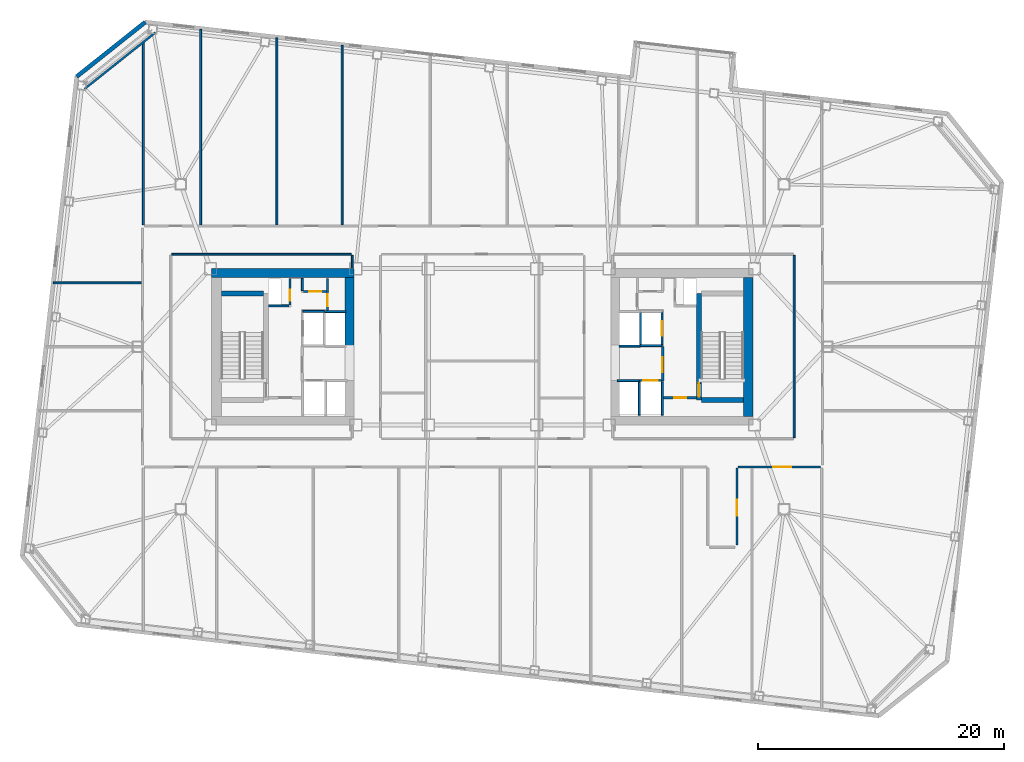
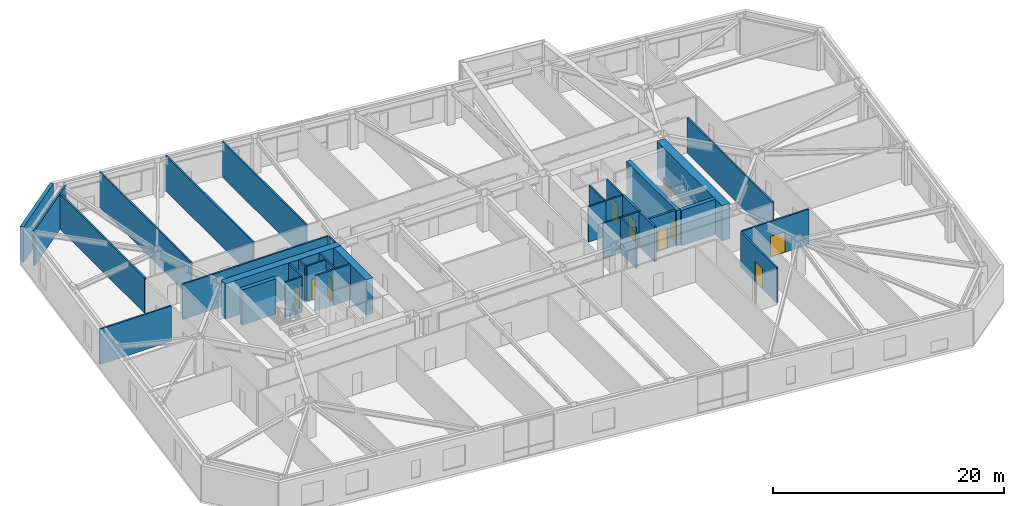
# One storey, part 15 of 23: 35 walls, 10 doors, 10 openings.
"""IFC4 building model written with IfcOpenShell, lengths in metres."""

from ifc_helpers import new_model, si_unit, direction, frame, frame_2d, origin, place, context, subcontext, project, spatial, rectangle, extrude, material, layer, layer_set, type_object, element, fill, save


model = new_model("IFC4")

# Units and contexts
model_context = context("Model", 3, precision=1e-05, world=origin(), true_north=direction((0.0, 1.0)))
body_context = subcontext(model_context, "Body", "Model", "MODEL_VIEW")
ifc_project = project(units=[si_unit("LENGTHUNIT", "METRE"), si_unit("AREAUNIT", "SQUARE_METRE"), si_unit("VOLUMEUNIT", "CUBIC_METRE"), si_unit("PLANEANGLEUNIT", "RADIAN"), si_unit("MASSUNIT", "GRAM", prefix="KILO")], contexts=[model_context])

# Site, building, storey
site_placement = place(None, origin())
site = spatial("IfcSite", under=ifc_project, at=site_placement, CompositionType="ELEMENT")
building_placement = place(site_placement, origin())
building = spatial("IfcBuilding", under=site, at=building_placement, Name="Tavrogorsk Clinical Tower", CompositionType="ELEMENT")
storey_placement = place(building_placement, frame((0.0, 0.0, 113.39990234375)))
storey = spatial("IfcBuildingStorey", under=building, at=storey_placement, Name="L25", CompositionType="ELEMENT", Elevation=113.39990234375)

# Wall, opening, door
ifc_material_1 = material(Name="Concrete B60", Category="concrete")
ifc_layer_1 = layer(ifc_material_1, 0.199951171875)
ifc_layer_set_1 = layer_set([ifc_layer_1], Name="Concrete B60")
wall_type_1 = type_object("IfcWallType", Name="CoreFireWall_200", PredefinedType="SOLIDWALL", material=ifc_layer_set_1)
wall_1_placement = place(storey_placement, frame((14.719970703125, -4.139892578125, 0.0), z_axis=(0.0, 0.0, 1.0), x_axis=(1.0, 0.0, 0.0)))
wall_1 = element("IfcWall", 1, at=wall_1_placement, inside=storey, type_object=wall_type_1, Name="L25 Core East South Core Room Fire Wall", PredefinedType="SOLIDWALL", context=body_context, shape_type="SweptSolid", body=[
    extrude(rectangle(XDim=2.659912109375, YDim=0.199951171875, at=frame_2d((1.330078125, 0.0))), origin(), (0.0, 0.0, 1.0), 3.739990234375),
])
opening_1_placement = place(wall_1_placement, frame((0.8798828125, 0.0, 0.0)))
opening_1 = element("IfcOpeningElement", 2, at=opening_1_placement, cuts=wall_1, Name="Opening ID-02", PredefinedType="OPENING", context=body_context, shape_type="SweptSolid", body=[
    extrude(rectangle(XDim=0.949951171875, YDim=2.199951171875, at=frame_2d((0.47509765625, 1.10009765625))), frame((0.0, 0.10986328125, 0.0), z_axis=(0.0, -1.0, 0.0), x_axis=(1.0, 0.0, 0.0)), (0.0, 0.0, 1.0), 0.219970703125),
])
ifc_material_2 = material(Name="Laminated timber leaf on aluminium frame", Category="wood")
door_type_1 = type_object("IfcDoorType", Name="InteriorDoor_ID02_950", OperationType="NOTDEFINED", PredefinedType="DOOR", material=ifc_material_2)
door_1_placement = place(opening_1_placement, origin())
door_1 = element("IfcDoor", 3, at=door_1_placement, inside=storey, type_object=door_type_1, Name="L25 Core East South Core Room Door", OperationType="SINGLE_SWING_LEFT", OverallHeight=2.199951171875, OverallWidth=0.949951171875, PredefinedType="DOOR", context=body_context, shape_type="SweptSolid", body=[
    extrude(rectangle(XDim=0.949951171875, YDim=2.199951171875, at=frame_2d((0.47509765625, 1.10009765625))), frame((0.0, 0.02490234375, 0.0), z_axis=(0.0, -1.0, 0.0), x_axis=(1.0, 0.0, 0.0)), (0.0, 0.0, 1.0), 0.050048828125),
])
fill(opening_1, door_1)

wall_2_placement = place(storey_placement, frame((14.639892578125, -2.780029296875, 0.0), z_axis=(0.0, 0.0, 1.0), x_axis=(0.0, 1.0, 0.0)))
wall_2 = element("IfcWall", 4, at=wall_2_placement, inside=storey, type_object=wall_type_1, Name="L25 Core East Firefighting Lobby Fire Wall", PredefinedType="SOLIDWALL", context=body_context, shape_type="SweptSolid", body=[
    extrude(rectangle(XDim=2.820068359375, YDim=0.199951171875, at=frame_2d((1.41015625, 0.0))), origin(), (0.0, 0.0, 1.0), 3.739990234375),
])
opening_2_placement = place(wall_2_placement, frame((0.72998046875, 0.0, 0.0)))
opening_2 = element("IfcOpeningElement", 5, at=opening_2_placement, cuts=wall_2, Name="Opening FD-01", PredefinedType="OPENING", context=body_context, shape_type="SweptSolid", body=[
    extrude(rectangle(XDim=1.199951171875, YDim=2.199951171875, at=frame_2d((0.60009765625, 1.10009765625))), frame((0.0, 0.10986328125, 0.0), z_axis=(0.0, -1.0, 0.0), x_axis=(1.0, 0.0, 0.0)), (0.0, 0.0, 1.0), 0.219970703125),
])
ifc_material_3 = material(Name="Galvanised steel fire-rated door assembly", Category="steel")
door_type_2 = type_object("IfcDoorType", Name="FireDoor_FD01_1200", OperationType="NOTDEFINED", PredefinedType="DOOR", material=ifc_material_3)
door_2_placement = place(opening_2_placement, origin())
door_2 = element("IfcDoor", 6, at=door_2_placement, inside=storey, type_object=door_type_2, Name="L25 Core East Firefighting Lobby Entry Door", OperationType="SINGLE_SWING_RIGHT", OverallHeight=2.199951171875, OverallWidth=1.199951171875, PredefinedType="DOOR", context=body_context, shape_type="SweptSolid", body=[
    extrude(rectangle(XDim=1.199951171875, YDim=2.199951171875, at=frame_2d((0.60009765625, 1.10009765625))), frame((0.0, 0.02490234375, 0.0), z_axis=(0.0, -1.0, 0.0), x_axis=(1.0, 0.0, 0.0)), (0.0, 0.0, 1.0), 0.050048828125),
])
fill(opening_2, door_2)

ifc_material_4 = material(Name="Lightweight concrete blockwork B15", Category="masonry")
ifc_layer_2 = layer(ifc_material_4, 0.159912109375)
ifc_layer_set_2 = layer_set([ifc_layer_2], Name="Lightweight concrete blockwork B15")
wall_type_2 = type_object("IfcWallType", Name="PartitionWall_160", PredefinedType="PARTITIONING", material=ifc_layer_set_2)
wall_3_placement = place(storey_placement, frame((-12.580078125, 2.9599609375, 0.0), z_axis=(0.0, 0.0, 1.0), x_axis=(0.0, 1.0, 0.0)))
wall_3 = element("IfcWall", 7, at=wall_3_placement, inside=storey, type_object=wall_type_2, Name="L25 Core West Linen Closet Wall", PredefinedType="PARTITIONING", context=body_context, shape_type="SweptSolid", body=[
    extrude(rectangle(XDim=2.60009765625, YDim=0.159912109375, at=frame_2d((1.300048828125, 0.0))), origin(), (0.0, 0.0, 1.0), 3.739990234375),
])
opening_3_placement = place(wall_3_placement, frame((0.35009765625, 0.0, 0.0)))
opening_3 = element("IfcOpeningElement", 8, at=opening_3_placement, cuts=wall_3, Name="Opening ID-02", PredefinedType="OPENING", context=body_context, shape_type="SweptSolid", body=[
    extrude(rectangle(XDim=0.949951171875, YDim=2.199951171875, at=frame_2d((0.47509765625, 1.10009765625))), frame((0.0, 0.08984375, 0.0), z_axis=(0.0, -1.0, 0.0), x_axis=(1.0, 0.0, 0.0)), (0.0, 0.0, 1.0), 0.179931640625),
])
door_3_placement = place(opening_3_placement, origin())
door_3 = element("IfcDoor", 9, at=door_3_placement, inside=storey, type_object=door_type_1, Name="L25 Core West Linen Closet Door", OperationType="SINGLE_SWING_LEFT", OverallHeight=2.199951171875, OverallWidth=0.949951171875, PredefinedType="DOOR", context=body_context, shape_type="SweptSolid", body=[
    extrude(rectangle(XDim=0.949951171875, YDim=2.199951171875, at=frame_2d((0.47509765625, 1.10009765625))), frame((0.0, 0.02490234375, 0.0), z_axis=(0.0, -1.0, 0.0), x_axis=(1.0, 0.0, 0.0)), (0.0, 0.0, 1.0), 0.050048828125),
])
fill(opening_3, door_3)

wall_4_placement = place(storey_placement, frame((-14.554931640625, 4.47998046875, 0.0), z_axis=(0.0, 0.0, 1.0), x_axis=(1.0, 0.0, 0.0)))
wall_4 = element("IfcWall", 10, at=wall_4_placement, inside=storey, type_object=wall_type_2, Name="L25 Core West Housekeeping South Wall", PredefinedType="PARTITIONING", context=body_context, shape_type="SweptSolid", body=[
    extrude(rectangle(XDim=1.889892578125, YDim=0.159912109375, at=frame_2d((0.94482421875, 0.0))), origin(), (0.0, 0.0, 1.0), 3.739990234375),
])
opening_4_placement = place(wall_4_placement, frame((0.5, 0.0, 0.0)))
opening_4 = element("IfcOpeningElement", 11, at=opening_4_placement, cuts=wall_4, Name="Opening ID-02", PredefinedType="OPENING", context=body_context, shape_type="SweptSolid", body=[
    extrude(rectangle(XDim=0.949951171875, YDim=2.199951171875, at=frame_2d((0.47509765625, 1.10009765625))), frame((0.0, 0.08984375, 0.0), z_axis=(0.0, -1.0, 0.0), x_axis=(1.0, 0.0, 0.0)), (0.0, 0.0, 1.0), 0.179931640625),
])
door_4_placement = place(opening_4_placement, origin())
door_4 = element("IfcDoor", 12, at=door_4_placement, inside=storey, type_object=door_type_1, Name="L25 Core West Housekeeping Closet Door", OperationType="SINGLE_SWING_RIGHT", OverallHeight=2.199951171875, OverallWidth=0.949951171875, PredefinedType="DOOR", context=body_context, shape_type="SweptSolid", body=[
    extrude(rectangle(XDim=0.949951171875, YDim=2.199951171875, at=frame_2d((0.47509765625, 1.10009765625))), frame((0.0, 0.02490234375, 0.0), z_axis=(0.0, -1.0, 0.0), x_axis=(1.0, 0.0, 0.0)), (0.0, 0.0, 1.0), 0.050048828125),
])
fill(opening_4, door_4)

# Walls
wall_5_placement = place(storey_placement, frame((-14.639892578125, 4.56494140625, 0.0), z_axis=(0.0, 0.0, 1.0), x_axis=(0.0, 1.0, 0.0)))
element("IfcWall", 13, at=wall_5_placement, inside=storey, type_object=wall_type_2, Name="L25 Core West Housekeeping East Wall", PredefinedType="PARTITIONING", context=body_context, shape_type="SweptSolid", body=[
    extrude(rectangle(XDim=0.9951171875, YDim=0.159912109375, at=frame_2d((0.49755859375, 0.0))), origin(), (0.0, 0.0, 1.0), 3.739990234375),
])
wall_6_placement = place(storey_placement, frame((-26.5712890625, 25.534912109375, 0.0), z_axis=(0.0, 0.0, 1.0), x_axis=(-0.782617962887, -0.622502308564, 0.0)))
element("IfcWall", 14, at=wall_6_placement, inside=storey, type_object=wall_type_2, Name="L25 Corner Exoskeleton Brace Furring Wall 3", PredefinedType="PARTITIONING", context=body_context, shape_type="SweptSolid", body=[
    extrude(rectangle(XDim=7.35400390625, YDim=0.159912109375, at=frame_2d((3.677001953125, 0.0))), origin(), (0.0, 0.0, 1.0), 3.739990234375),
])

# Wall, opening, door
wall_7_placement = place(storey_placement, frame((27.465087890625, -9.780029296875, 0.0), z_axis=(0.0, 0.0, 1.0), x_axis=(-1.0, 0.0, 0.0)))
wall_7 = element("IfcWall", 15, at=wall_7_placement, inside=storey, type_object=wall_type_2, Name="L25 Corridor Partition 05", PredefinedType="PARTITIONING", context=body_context, shape_type="SweptSolid", body=[
    extrude(rectangle(XDim=6.7001953125, YDim=0.159912109375, at=frame_2d((3.35009765625, 0.0))), origin(), (0.0, 0.0, 1.0), 3.739990234375),
])
opening_5_placement = place(wall_7_placement, frame((2.369140625, 0.0, 0.0)))
opening_5 = element("IfcOpeningElement", 16, at=opening_5_placement, cuts=wall_7, Name="Opening ID-05", PredefinedType="OPENING", context=body_context, shape_type="SweptSolid", body=[
    extrude(rectangle(XDim=1.449951171875, YDim=2.199951171875, at=frame_2d((0.72509765625, 1.10009765625))), frame((0.0, 0.08984375, 0.0), z_axis=(0.0, -1.0, 0.0), x_axis=(1.0, 0.0, 0.0)), (0.0, 0.0, 1.0), 0.179931640625),
])
ifc_material_5 = material(Name="Antibacterial HPL bariatric ward double door")
door_type_3 = type_object("IfcDoorType", Name="DoubleWardDoor_ID05_1450", OperationType="DOUBLE_SWING_LEFT", PredefinedType="DOOR", material=ifc_material_5)
door_5_placement = place(opening_5_placement, origin())
door_5 = element("IfcDoor", 17, at=door_5_placement, inside=storey, type_object=door_type_3, Name="L25 South Acute Medical Ward 05 Door", OperationType="DOUBLE_SWING_LEFT", OverallHeight=2.199951171875, OverallWidth=1.449951171875, PredefinedType="DOOR", context=body_context, shape_type="SweptSolid", body=[
    extrude(rectangle(XDim=1.449951171875, YDim=2.199951171875, at=frame_2d((0.72509765625, 1.10009765625))), frame((0.0, 0.02490234375, 0.0), z_axis=(0.0, -1.0, 0.0), x_axis=(1.0, 0.0, 0.0)), (0.0, 0.0, 1.0), 0.050048828125),
])
fill(opening_5, door_5)

wall_8_placement = place(storey_placement, frame((20.679931640625, -9.864990234375, 0.0), z_axis=(0.0, 0.0, 1.0), x_axis=(0.0, -1.0, 0.0)))
wall_8 = element("IfcWall", 18, at=wall_8_placement, inside=storey, type_object=wall_type_2, Name="L25 Corridor Partition 06", PredefinedType="PARTITIONING", context=body_context, shape_type="SweptSolid", body=[
    extrude(rectangle(XDim=6.25, YDim=0.159912109375, at=frame_2d((3.125, 0.0))), origin(), (0.0, 0.0, 1.0), 3.739990234375),
])
opening_6_placement = place(wall_8_placement, frame((2.56005859375, 0.0, 0.0)))
opening_6 = element("IfcOpeningElement", 19, at=opening_6_placement, cuts=wall_8, Name="Opening ID-01", PredefinedType="OPENING", context=body_context, shape_type="SweptSolid", body=[
    extrude(rectangle(XDim=1.300048828125, YDim=2.199951171875, at=frame_2d((0.64990234375, 1.10009765625))), frame((0.0, 0.08984375, 0.0), z_axis=(0.0, -1.0, 0.0), x_axis=(1.0, 0.0, 0.0)), (0.0, 0.0, 1.0), 0.179931640625),
])
ifc_material_6 = material(Name="Antibacterial HPL medical leaf on aluminium frame", Category="aluminium")
door_type_4 = type_object("IfcDoorType", Name="WardBedDoor_ID01_1300", OperationType="NOTDEFINED", PredefinedType="DOOR", material=ifc_material_6)
door_6_placement = place(opening_6_placement, origin())
door_6 = element("IfcDoor", 20, at=door_6_placement, inside=storey, type_object=door_type_4, Name="L25 South Bariatric Observation Ward 04B Door", OperationType="SINGLE_SWING_RIGHT", OverallHeight=2.199951171875, OverallWidth=1.300048828125, PredefinedType="DOOR", context=body_context, shape_type="SweptSolid", body=[
    extrude(rectangle(XDim=1.300048828125, YDim=2.199951171875, at=frame_2d((0.64990234375, 1.10009765625))), frame((0.0, 0.02490234375, 0.0), z_axis=(0.0, -1.0, 0.0), x_axis=(1.0, 0.0, 0.0)), (0.0, 0.0, 1.0), 0.050048828125),
])
fill(opening_6, door_6)

# Walls
wall_9_placement = place(storey_placement, frame((25.320068359375, -7.385009765625, 0.0), z_axis=(0.0, 0.0, 1.0), x_axis=(0.0, 1.0, 0.0)))
element("IfcWall", 21, at=wall_9_placement, inside=storey, type_object=wall_type_2, Name="L25 Corridor Partition 13", PredefinedType="PARTITIONING", context=body_context, shape_type="SweptSolid", body=[
    extrude(rectangle(XDim=14.820068359375, YDim=0.159912109375, at=frame_2d((7.41015625, 0.0))), origin(), (0.0, 0.0, 1.0), 3.739990234375),
])
wall_10_placement = place(storey_placement, frame((-10.580078125, 6.419921875, 0.0), z_axis=(0.0, 0.0, 1.0), x_axis=(0.0, 1.0, 0.0)))
element("IfcWall", 22, at=wall_10_placement, inside=storey, type_object=wall_type_2, Name="L25 Corridor Partition 19", PredefinedType="PARTITIONING", context=body_context, shape_type="SweptSolid", body=[
    extrude(rectangle(XDim=1.01513671875, YDim=0.159912109375, at=frame_2d((0.507568359375, 0.0))), origin(), (0.0, 0.0, 1.0), 3.739990234375),
])
wall_11_placement = place(storey_placement, frame((-10.6650390625, 7.52001953125, 0.0), z_axis=(0.0, 0.0, 1.0), x_axis=(-1.0, 0.0, 0.0)))
element("IfcWall", 23, at=wall_11_placement, inside=storey, type_object=wall_type_2, Name="L25 Corridor Partition 20", PredefinedType="PARTITIONING", context=body_context, shape_type="SweptSolid", body=[
    extrude(rectangle(XDim=14.570068359375, YDim=0.159912109375, at=frame_2d((7.28515625, 0.0))), origin(), (0.0, 0.0, 1.0), 3.739990234375),
])
wall_12_placement = place(storey_placement, frame((-27.550048828125, 9.9150390625, 0.0), z_axis=(0.0, 0.0, 1.0), x_axis=(0.0, 1.0, 0.0)))
element("IfcWall", 24, at=wall_12_placement, inside=storey, type_object=wall_type_2, Name="L25 NW Wing Closure Partition", PredefinedType="PARTITIONING", context=body_context, shape_type="SweptSolid", body=[
    extrude(rectangle(XDim=14.858642578125, YDim=0.159912109375, at=frame_2d((7.42919921875, 0.0))), origin(), (0.0, 0.0, 1.0), 3.739990234375),
])
wall_13_placement = place(storey_placement, frame((-22.89990234375, 9.9150390625, 0.0), z_axis=(0.0, 0.0, 1.0), x_axis=(0.0, 1.0, 0.0)))
element("IfcWall", 25, at=wall_13_placement, inside=storey, type_object=wall_type_2, Name="L25 North Room Partition 1", PredefinedType="PARTITIONING", context=body_context, shape_type="SweptSolid", body=[
    extrude(rectangle(XDim=15.886474609375, YDim=0.159912109375, at=frame_2d((7.943359375, 0.0))), origin(), (0.0, 0.0, 1.0), 3.739990234375),
])
wall_14_placement = place(storey_placement, frame((-11.39990234375, 9.9150390625, 0.0), z_axis=(0.0, 0.0, 1.0), x_axis=(0.0, 1.0, 0.0)))
element("IfcWall", 26, at=wall_14_placement, inside=storey, type_object=wall_type_2, Name="L25 North Room Partition 2", PredefinedType="PARTITIONING", context=body_context, shape_type="SweptSolid", body=[
    extrude(rectangle(XDim=14.576171875, YDim=0.159912109375, at=frame_2d((7.2880859375, 0.0))), origin(), (0.0, 0.0, 1.0), 3.739990234375),
])
wall_15_placement = place(storey_placement, frame((-16.699951171875, 9.9150390625, 0.0), z_axis=(0.0, 0.0, 1.0), x_axis=(0.0, 1.0, 0.0)))
element("IfcWall", 27, at=wall_15_placement, inside=storey, type_object=wall_type_2, Name="L25 North Sub-Partition 2", PredefinedType="PARTITIONING", context=body_context, shape_type="SweptSolid", body=[
    extrude(rectangle(XDim=15.18017578125, YDim=0.159912109375, at=frame_2d((7.590087890625, 0.0))), origin(), (0.0, 0.0, 1.0), 3.739990234375),
])
wall_16_placement = place(storey_placement, frame((-34.857177734375, 5.199951171875, 0.0), z_axis=(0.0, 0.0, 1.0), x_axis=(1.0, 0.0, 0.0)))
element("IfcWall", 28, at=wall_16_placement, inside=storey, type_object=wall_type_2, Name="L25 W Wing Divider 3", PredefinedType="PARTITIONING", context=body_context, shape_type="SweptSolid", body=[
    extrude(rectangle(XDim=7.14208984375, YDim=0.159912109375, at=frame_2d((3.571044921875, 0.0))), origin(), (0.0, 0.0, 1.0), 3.739990234375),
])
ifc_material_7 = material(Name="Precast concrete B45 with limestone cladding", Category="masonry")
ifc_layer_3 = layer(ifc_material_7, 0.340087890625)
ifc_layer_set_3 = layer_set([ifc_layer_3], Name="Precast concrete B45 with limestone cladding")
wall_type_3 = type_object("IfcWallType", Name="PrecastLimestoneWall_340", PredefinedType="STANDARD", material=ifc_layer_set_3)
wall_17_placement = place(storey_placement, frame((-27.40087890625, 26.384765625, 0.0), z_axis=(0.0, 0.0, 1.0), x_axis=(-0.78261359446, -0.622507800567, 0.0)))
element("IfcWall", 29, at=wall_17_placement, inside=storey, type_object=wall_type_3, Name="L25 Chamfered Corner Wall 3", PredefinedType="STANDARD", context=body_context, shape_type="SweptSolid", body=[
    extrude(rectangle(XDim=7.113525390625, YDim=0.340087890625, at=frame_2d((3.556640625, 0.0))), origin(), (0.0, 0.0, 1.0), 3.739990234375),
])
ifc_material_8 = material(Name="Lightweight concrete blockwork B25", Category="masonry")
ifc_layer_4 = layer(ifc_material_8, 0.159912109375)
ifc_layer_set_4 = layer_set([ifc_layer_4], Name="Lightweight concrete blockwork B25")
wall_type_4 = type_object("IfcWallType", Name="ShaftWall_160", PredefinedType="PARTITIONING", material=ifc_layer_set_4)
wall_18_placement = place(storey_placement, frame((-14.60009765625, 2.8798828125, 0.0), z_axis=(0.0, 0.0, 1.0), x_axis=(1.0, 0.0, 0.0)))
element("IfcWall", 30, at=wall_18_placement, inside=storey, type_object=wall_type_4, Name="L25 FFL-W Shaft North Wall", PredefinedType="PARTITIONING", context=body_context, shape_type="SweptSolid", body=[
    extrude(rectangle(XDim=1.760009765625, YDim=0.159912109375, at=frame_2d((0.8798828125, 0.0))), origin(), (0.0, 0.0, 1.0), 3.739990234375),
])
wall_19_placement = place(storey_placement, frame((-12.820068359375, 2.860107421875, 0.0), z_axis=(0.0, 0.0, 1.0), x_axis=(1.0, 0.0, 0.0)))
element("IfcWall", 31, at=wall_19_placement, inside=storey, type_object=wall_type_4, Name="L25 LP-H1 High-Zone Lift Rear Wall", PredefinedType="PARTITIONING", context=body_context, shape_type="SweptSolid", body=[
    extrude(rectangle(XDim=1.719970703125, YDim=0.159912109375, at=frame_2d((0.85986328125, 0.0))), origin(), (0.0, 0.0, 1.0), 3.739990234375),
])

# Wall, opening, door
wall_20_placement = place(storey_placement, frame((14.60009765625, 0.1201171875, 0.0), z_axis=(0.0, 0.0, 1.0), x_axis=(0.0, 1.0, 0.0)))
wall_20 = element("IfcWall", 32, at=wall_20_placement, inside=storey, type_object=wall_type_4, Name="L25 FFL-E Firefighting Lift Front Wall", PredefinedType="PARTITIONING", context=body_context, shape_type="SweptSolid", body=[
    extrude(rectangle(XDim=2.739990234375, YDim=0.159912109375, at=frame_2d((1.3701171875, 0.0))), origin(), (0.0, 0.0, 1.0), 3.739990234375),
])
opening_7_placement = place(wall_20_placement, frame((0.77001953125, 0.0, 0.0)))
opening_7 = element("IfcOpeningElement", 33, at=opening_7_placement, cuts=wall_20, Name="Opening LD", PredefinedType="OPENING", context=body_context, shape_type="SweptSolid", body=[
    extrude(rectangle(XDim=1.199951171875, YDim=2.199951171875, at=frame_2d((0.60009765625, 1.10009765625))), frame((0.0, 0.08984375, 0.0), z_axis=(0.0, -1.0, 0.0), x_axis=(1.0, 0.0, 0.0)), (0.0, 0.0, 1.0), 0.179931640625),
])
ifc_material_9 = material(Name="Brushed stainless steel AISI 304 sliding doors", Category="steel")
door_type_5 = type_object("IfcDoorType", Name="LiftLandingDoor_LD_1200", OperationType="SLIDING_TO_LEFT", PredefinedType="DOOR", material=ifc_material_9)
door_7_placement = place(opening_7_placement, origin())
door_7 = element("IfcDoor", 34, at=door_7_placement, inside=storey, type_object=door_type_5, Name="L25 FFL-E Sliding Lift Landing Door", OperationType="SLIDING_TO_LEFT", OverallHeight=2.199951171875, OverallWidth=1.199951171875, PredefinedType="DOOR", context=body_context, shape_type="SweptSolid", body=[
    extrude(rectangle(XDim=1.199951171875, YDim=2.199951171875, at=frame_2d((0.60009765625, 1.10009765625))), frame((0.0, 0.02490234375, 0.0), z_axis=(0.0, -1.0, 0.0), x_axis=(1.0, 0.0, 0.0)), (0.0, 0.0, 1.0), 0.050048828125),
])
fill(opening_7, door_7)

# Walls
wall_21_placement = place(storey_placement, frame((12.840087890625, 0.10009765625, 0.0), z_axis=(0.0, 0.0, 1.0), x_axis=(1.0, 0.0, 0.0)))
element("IfcWall", 35, at=wall_21_placement, inside=storey, type_object=wall_type_4, Name="L25 FFL-E Shaft South Wall", PredefinedType="PARTITIONING", context=body_context, shape_type="SweptSolid", body=[
    extrude(rectangle(XDim=1.760009765625, YDim=0.159912109375, at=frame_2d((0.8798828125, 0.0))), origin(), (0.0, 0.0, 1.0), 3.739990234375),
])
wall_22_placement = place(storey_placement, frame((12.840087890625, 0.179931640625, 0.0), z_axis=(0.0, 0.0, 1.0), x_axis=(0.0, 1.0, 0.0)))
element("IfcWall", 36, at=wall_22_placement, inside=storey, type_object=wall_type_4, Name="L25 FFL-E Shaft Back Wall", PredefinedType="PARTITIONING", context=body_context, shape_type="SweptSolid", body=[
    extrude(rectangle(XDim=2.6201171875, YDim=0.159912109375, at=frame_2d((1.31005859375, 0.0))), origin(), (0.0, 0.0, 1.0), 3.739990234375),
])

# Wall, opening, door
wall_23_placement = place(storey_placement, frame((12.77001953125, -2.75, 0.0), z_axis=(0.0, 0.0, 1.0), x_axis=(1.0, 0.0, 0.0)))
wall_23 = element("IfcWall", 37, at=wall_23_placement, inside=storey, type_object=wall_type_4, Name="L25 LP-L2 Lift Shaft Portal Wall", PredefinedType="PARTITIONING", context=body_context, shape_type="SweptSolid", body=[
    extrude(rectangle(XDim=1.760009765625, YDim=0.159912109375, at=frame_2d((0.8798828125, 0.0))), origin(), (0.0, 0.0, 1.0), 3.739990234375),
])
opening_8_placement = place(wall_23_placement, frame((0.280029296875, 0.0, 0.0)))
opening_8 = element("IfcOpeningElement", 38, at=opening_8_placement, cuts=wall_23, Name="Opening LD", PredefinedType="OPENING", context=body_context, shape_type="SweptSolid", body=[
    extrude(rectangle(XDim=1.199951171875, YDim=2.199951171875, at=frame_2d((0.60009765625, 1.10009765625))), frame((0.0, 0.08984375, 0.0), z_axis=(0.0, -1.0, 0.0), x_axis=(1.0, 0.0, 0.0)), (0.0, 0.0, 1.0), 0.179931640625),
])
door_8_placement = place(opening_8_placement, origin())
door_8 = element("IfcDoor", 39, at=door_8_placement, inside=storey, type_object=door_type_5, Name="L25 LP-L2 Sliding Lift Landing Door", OperationType="SLIDING_TO_LEFT", OverallHeight=2.199951171875, OverallWidth=1.199951171875, PredefinedType="DOOR", context=body_context, shape_type="SweptSolid", body=[
    extrude(rectangle(XDim=1.199951171875, YDim=2.199951171875, at=frame_2d((0.60009765625, 1.10009765625))), frame((0.0, 0.02490234375, 0.0), z_axis=(0.0, -1.0, 0.0), x_axis=(1.0, 0.0, 0.0)), (0.0, 0.0, 1.0), 0.050048828125),
])
fill(opening_8, door_8)

# Walls
for number, where, z_axis, x_axis, name in (
    (40, (12.75, -5.5400390625, 0.0), (0.0, 0.0, 1.0), (0.0, 1.0, 0.0), "L25 LP-L2 Lift Hoistway Divider Wall"),
    (41, (14.610107421875, -5.5400390625, 0.0), (0.0, 0.0, 1.0), (0.0, 1.0, 0.0), "L25 LP-L2 Lift Hoistway Outer Cheek Wall"),
):
    element("IfcWall", number, at=place(storey_placement, frame(where, z_axis=z_axis, x_axis=x_axis)), inside=storey, type_object=wall_type_4, Name=name, PredefinedType="PARTITIONING", context=body_context, shape_type="SweptSolid", body=[
        extrude(rectangle(XDim=2.699951171875, YDim=0.159912109375, at=frame_2d((1.35009765625, 0.0))), origin(), (0.0, 0.0, 1.0), 3.739990234375),
    ])
wall_24_placement = place(storey_placement, frame((10.969970703125, -2.75, 0.0), z_axis=(0.0, 0.0, 1.0), x_axis=(1.0, 0.0, 0.0)))
element("IfcWall", 42, at=wall_24_placement, inside=storey, type_object=wall_type_4, Name="L25 LP-M2 Lift Shaft Portal Wall", PredefinedType="PARTITIONING", context=body_context, shape_type="SweptSolid", body=[
    extrude(rectangle(XDim=1.760009765625, YDim=0.159912109375, at=frame_2d((0.8798828125, 0.0))), origin(), (0.0, 0.0, 1.0), 3.739990234375),
])
wall_25_placement = place(storey_placement, frame((11.10009765625, 0.06005859375, 0.0), z_axis=(0.0, 0.0, 1.0), x_axis=(1.0, 0.0, 0.0)))
element("IfcWall", 43, at=wall_25_placement, inside=storey, type_object=wall_type_4, Name="L25 LP-H2 High-Zone Lift Portal Wall", PredefinedType="PARTITIONING", context=body_context, shape_type="SweptSolid", body=[
    extrude(rectangle(XDim=1.719970703125, YDim=0.159912109375, at=frame_2d((0.85986328125, 0.0))), origin(), (0.0, 0.0, 1.0), 3.739990234375),
])

# Wall, opening, door
wall_26_placement = place(storey_placement, frame((-15.639892578125, 3.405029296875, 0.0), z_axis=(0.0, 0.0, 1.0), x_axis=(0.0, 1.0, 0.0)))
wall_26 = element("IfcWall", 44, at=wall_26_placement, inside=storey, type_object=wall_type_4, Name="L25 Core West Riser West Wall", PredefinedType="PARTITIONING", context=body_context, shape_type="SweptSolid", body=[
    extrude(rectangle(XDim=2.155029296875, YDim=0.159912109375, at=frame_2d((1.07763671875, 0.0))), origin(), (0.0, 0.0, 1.0), 3.739990234375),
])
opening_9_placement = place(wall_26_placement, frame((0.35009765625, 0.0, 0.0)))
opening_9 = element("IfcOpeningElement", 45, at=opening_9_placement, cuts=wall_26, Name="Opening FD-02", PredefinedType="OPENING", context=body_context, shape_type="SweptSolid", body=[
    extrude(rectangle(XDim=0.89990234375, YDim=2.199951171875, at=frame_2d((0.449951171875, 1.10009765625))), frame((0.0, 0.08984375, 0.0), z_axis=(0.0, -1.0, 0.0), x_axis=(1.0, 0.0, 0.0)), (0.0, 0.0, 1.0), 0.179931640625),
])
ifc_material_10 = material(Name="Galvanised steel fire-rated door assembly", Category="steel")
door_type_6 = type_object("IfcDoorType", Name="FireDoor_FD02_900", OperationType="NOTDEFINED", PredefinedType="DOOR", material=ifc_material_10)
door_9_placement = place(opening_9_placement, origin())
door_9 = element("IfcDoor", 46, at=door_9_placement, inside=storey, type_object=door_type_6, Name="L25 Core West Electrical Riser Access Door", OperationType="SINGLE_SWING_LEFT", OverallHeight=2.199951171875, OverallWidth=0.89990234375, PredefinedType="DOOR", context=body_context, shape_type="SweptSolid", body=[
    extrude(rectangle(XDim=0.89990234375, YDim=2.199951171875, at=frame_2d((0.449951171875, 1.10009765625))), frame((0.0, 0.02490234375, 0.0), z_axis=(0.0, -1.0, 0.0), x_axis=(1.0, 0.0, 0.0)), (0.0, 0.0, 1.0), 0.050048828125),
])
fill(opening_9, door_9)

# Walls
wall_27_placement = place(storey_placement, frame((-17.3798828125, 3.320068359375, 0.0), z_axis=(0.0, 0.0, 1.0), x_axis=(1.0, 0.0, 0.0)))
element("IfcWall", 47, at=wall_27_placement, inside=storey, type_object=wall_type_4, Name="L25 Core West Riser South Wall", PredefinedType="PARTITIONING", context=body_context, shape_type="SweptSolid", body=[
    extrude(rectangle(XDim=1.65478515625, YDim=0.159912109375, at=frame_2d((0.827392578125, 0.0))), origin(), (0.0, 0.0, 1.0), 3.739990234375),
])
ifc_material_11 = material(Name="Concrete B80", Category="concrete")
ifc_layer_5 = layer(ifc_material_11, 0.39990234375)
ifc_layer_set_5 = layer_set([ifc_layer_5], Name="Concrete B80")
wall_type_5 = type_object("IfcWallType", Name="ShearWall_400", PredefinedType="SHEAR", material=ifc_layer_set_5)
wall_28_placement = place(storey_placement, frame((-21.199951171875, 4.324951171875, 0.0), z_axis=(0.0, 0.0, 1.0), x_axis=(1.0, 0.0, 0.0)))
element("IfcWall", 48, at=wall_28_placement, inside=storey, type_object=wall_type_5, Name="L25 Core West Stair Shaft North Shear Wall", PredefinedType="SHEAR", context=body_context, shape_type="SweptSolid", body=[
    extrude(rectangle(XDim=3.39990234375, YDim=0.39990234375, at=frame_2d((1.699951171875, 0.0))), origin(), (0.0, 0.0, 1.0), 3.739990234375),
])

# Wall, opening, door
wall_29_placement = place(storey_placement, frame((17.60009765625, -4.324951171875, 0.0), z_axis=(0.0, 0.0, 1.0), x_axis=(0.0, 1.0, 0.0)))
wall_29 = element("IfcWall", 49, at=wall_29_placement, inside=storey, type_object=wall_type_5, Name="L25 Core East Stair Shaft Inner Shear Wall", PredefinedType="SHEAR", context=body_context, shape_type="SweptSolid", body=[
    extrude(rectangle(XDim=8.64990234375, YDim=0.39990234375, at=frame_2d((4.324951171875, 0.0))), origin(), (0.0, 0.0, 1.0), 3.739990234375),
])
opening_10_placement = place(wall_29_placement, frame((0.25, 0.0, 0.0)))
opening_10 = element("IfcOpeningElement", 50, at=opening_10_placement, cuts=wall_29, Name="Opening SD-01", PredefinedType="OPENING", context=body_context, shape_type="SweptSolid", body=[
    extrude(rectangle(XDim=1.10009765625, YDim=2.199951171875, at=frame_2d((0.550048828125, 1.10009765625))), frame((0.0, 0.2099609375, 0.0), z_axis=(0.0, -1.0, 0.0), x_axis=(1.0, 0.0, 0.0)), (0.0, 0.0, 1.0), 0.419921875),
])
ifc_material_12 = material(Name="Galvanised steel smoke-tight fire door assembly", Category="steel")
door_type_7 = type_object("IfcDoorType", Name="StairFireDoor_SD01_1100", OperationType="NOTDEFINED", PredefinedType="DOOR", material=ifc_material_12)
door_10_placement = place(opening_10_placement, origin())
door_10 = element("IfcDoor", 51, at=door_10_placement, inside=storey, type_object=door_type_7, Name="L25 ST-E Exit Stair Door", OperationType="SINGLE_SWING_LEFT", OverallHeight=2.199951171875, OverallWidth=1.10009765625, PredefinedType="DOOR", context=body_context, shape_type="SweptSolid", body=[
    extrude(rectangle(XDim=1.10009765625, YDim=2.199951171875, at=frame_2d((0.550048828125, 1.10009765625))), frame((0.0, 0.02490234375, 0.0), z_axis=(0.0, -1.0, 0.0), x_axis=(1.0, 0.0, 0.0)), (0.0, 0.0, 1.0), 0.050048828125),
])
fill(opening_10, door_10)

# Walls
wall_30_placement = place(storey_placement, frame((17.800048828125, -4.324951171875, 0.0), z_axis=(0.0, 0.0, 1.0), x_axis=(1.0, 0.0, 0.0)))
element("IfcWall", 52, at=wall_30_placement, inside=storey, type_object=wall_type_5, Name="L25 Core East Stair Shaft South Shear Wall", PredefinedType="SHEAR", context=body_context, shape_type="SweptSolid", body=[
    extrude(rectangle(XDim=3.39990234375, YDim=0.39990234375, at=frame_2d((1.699951171875, 0.0))), origin(), (0.0, 0.0, 1.0), 3.739990234375),
])
ifc_material_13 = material(Name="Concrete B80", Category="concrete")
ifc_layer_6 = layer(ifc_material_13, 0.699951171875)
ifc_layer_set_6 = layer_set([ifc_layer_6], Name="Concrete B80")
wall_type_6 = type_object("IfcWallType", Name="ShearWall_700", PredefinedType="SHEAR", material=ifc_layer_set_6)
wall_31_placement = place(storey_placement, frame((-22.0, 6.0, 0.0), z_axis=(0.0, 0.0, 1.0), x_axis=(1.0, 0.0, 0.0)))
element("IfcWall", 53, at=wall_31_placement, inside=storey, type_object=wall_type_6, Name="L25 Core West North Shear Wall", PredefinedType="SHEAR", context=body_context, shape_type="SweptSolid", body=[
    extrude(rectangle(XDim=11.550048828125, YDim=0.699951171875, at=frame_2d((5.77490234375, 0.0))), origin(), (0.0, 0.0, 1.0), 3.739990234375),
])
wall_32_placement = place(storey_placement, frame((-10.800048828125, 0.050048828125, 0.0), z_axis=(0.0, 0.0, 1.0), x_axis=(0.0, 1.0, 0.0)))
element("IfcWall", 54, at=wall_32_placement, inside=storey, type_object=wall_type_6, Name="L25 Core West Inner North Pier", PredefinedType="SHEAR", context=body_context, shape_type="SweptSolid", body=[
    extrude(rectangle(XDim=5.599853515625, YDim=0.699951171875, at=frame_2d((2.7998046875, 0.0))), origin(), (0.0, 0.0, 1.0), 3.739990234375),
])
ifc_material_14 = material(Name="Concrete B80", Category="concrete")
ifc_layer_7 = layer(ifc_material_14, 0.800048828125)
ifc_layer_set_7 = layer_set([ifc_layer_7], Name="Concrete B80")
wall_type_7 = type_object("IfcWallType", Name="ShearWall_800", PredefinedType="SHEAR", material=ifc_layer_set_7)
wall_33_placement = place(storey_placement, frame((21.60009765625, -5.64990234375, 0.0), z_axis=(0.0, 0.0, 1.0), x_axis=(0.0, 1.0, 0.0)))
element("IfcWall", 55, at=wall_33_placement, inside=storey, type_object=wall_type_7, Name="L25 Core East End Shear Wall", PredefinedType="SHEAR", context=body_context, shape_type="SweptSolid", body=[
    extrude(rectangle(XDim=11.2998046875, YDim=0.800048828125, at=frame_2d((5.64990234375, 0.0))), origin(), (0.0, 0.0, 1.0), 3.739990234375),
])

save(model, "model.ifc")
